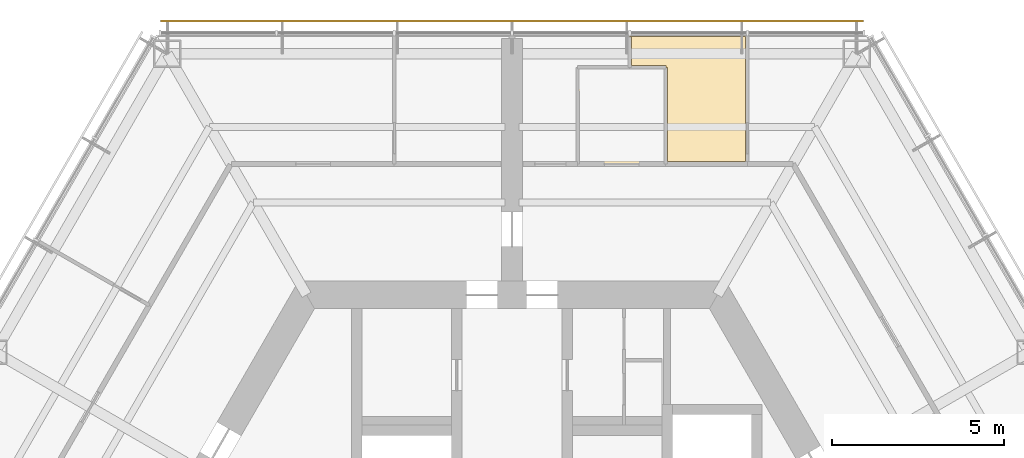
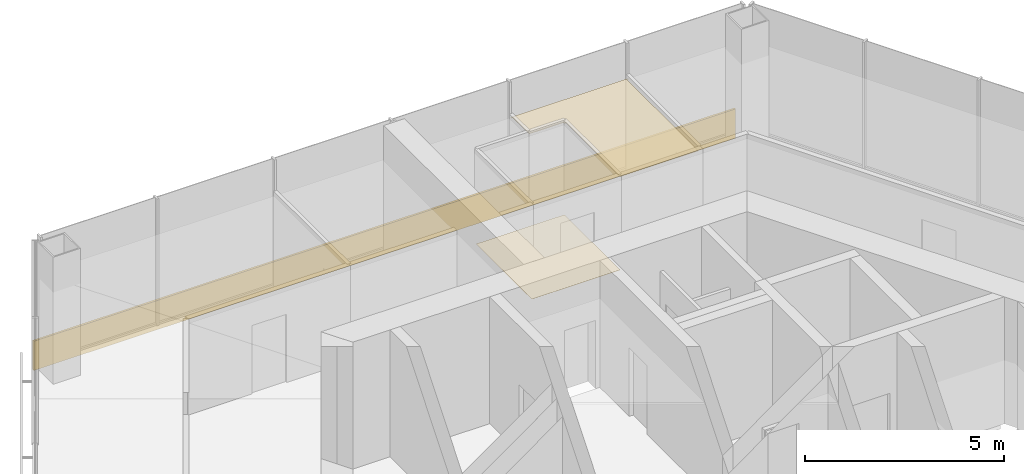
# One storey, part 13 of 13: 2 coverings, 1 shading device.
"""IFC4 building model written with IfcOpenShell, lengths in metres."""

from ifc_helpers import new_model, si_unit, direction, frame, origin, origin_2d, place, context, subcontext, project, spatial, polyline, rectangle, outline, extrude, material, layer, layer_set, type_object, element, save


model = new_model("IFC4")

# Units and contexts
model_context = context("Model", 3, precision=1e-05, world=origin(), true_north=direction((0.0, 1.0)))
body_context = subcontext(model_context, "Body", "Model", "MODEL_VIEW")
ifc_project = project(units=[si_unit("LENGTHUNIT", "METRE"), si_unit("AREAUNIT", "SQUARE_METRE"), si_unit("VOLUMEUNIT", "CUBIC_METRE"), si_unit("PLANEANGLEUNIT", "RADIAN"), si_unit("MASSUNIT", "GRAM", prefix="KILO")], contexts=[model_context])

# Site, building, storey
site_placement = place(None, origin())
site = spatial("IfcSite", under=ifc_project, at=site_placement, CompositionType="ELEMENT")
building_placement = place(site_placement, origin())
building = spatial("IfcBuilding", under=site, at=building_placement, Name="Kasaneha Research Tower", CompositionType="ELEMENT")
storey_placement = place(building_placement, frame((0.0, 0.0, 283.0)))
storey = spatial("IfcBuildingStorey", under=building, at=storey_placement, Name="L71", CompositionType="ELEMENT", Elevation=283.0)

# Covering
ifc_material_1 = material(Name="Gypsum ceiling board", Category="gypsum")
ifc_layer_1 = layer(ifc_material_1, 0.02001953125)
ifc_layer_set_1 = layer_set([ifc_layer_1], Name="Suspended ceiling 20")
covering_type_1 = type_object("IfcCoveringType", Name="Suspended ceiling 20", PredefinedType="CEILING", material=ifc_layer_set_1)
covering_1_placement = place(storey_placement, frame((0.0, 0.0, 2.800048828125)))
element("IfcCovering", 1, at=covering_1_placement, inside=storey, type_object=covering_type_1, Name="Ceiling L71-27", PredefinedType="CEILING", context=body_context, shape_type="SweptSolid", body=[
    extrude(outline(polyline([(6.8310546875, 17.800537109375), (6.781005859375, 17.800537109375), (6.776611328125, 14.199951171875), (4.510009765625, 14.199951171875), (4.514892578125, 16.9248046875), (4.465087890625, 16.925048828125), (4.465087890625, 16.97509765625), (3.47021484375, 16.97509765625), (3.465576171875, 17.80078125), (3.41552734375, 17.800537109375), (3.41552734375, 17.820556640625), (6.8310546875, 17.820556640625), (6.8310546875, 17.800537109375)])), origin(), (0.0, 0.0, 1.0), 0.02001953125),
])

# Shading device
ifc_material_2 = material(Name="Terracotta", Category="masonry")
ifc_layer_2 = layer(ifc_material_2, 0.06005859375)
ifc_layer_set_2 = layer_set([ifc_layer_2], Name="Terracotta baguette screen")
shading_device_type = type_object("IfcShadingDeviceType", Name="Terracotta baguette screen", PredefinedType="USERDEFINED", material=ifc_layer_set_2)
shading_device_placement = place(storey_placement, frame((0.0, 18.2705078125, -0.449951171875), z_axis=(0.0, 0.0, 1.0), x_axis=(-1.0, 0.0, 0.0)))
element("IfcShadingDevice", 2, at=shading_device_placement, inside=storey, type_object=shading_device_type, Name="Baguette screen L71 02", ObjectType="TERRACOTTA BAGUETTE SCREEN", PredefinedType="USERDEFINED", context=body_context, shape_type="SweptSolid", body=[
    extrude(rectangle(XDim=20.392822265625, YDim=0.06005859375, at=origin_2d()), origin(), (0.0, 0.0, 1.0), 0.89990234375),
])

# Covering
ifc_material_3 = material(Name="Vinyl sheet flooring", Category="plastic")
ifc_layer_3 = layer(ifc_material_3, 0.0048828125)
ifc_layer_set_3 = layer_set([ifc_layer_3], Name="Wet room sheet flooring 5")
covering_type_2 = type_object("IfcCoveringType", Name="Wet room sheet flooring 5", PredefinedType="FLOORING", material=ifc_layer_set_3)
covering_2_placement = place(storey_placement, origin())
element("IfcCovering", 3, at=covering_2_placement, inside=storey, type_object=covering_type_2, Name="Floor finish L71-25", PredefinedType="FLOORING", context=body_context, shape_type="SweptSolid", body=[
    extrude(outline(polyline([(1.89990234375, 16.925048828125), (4.465087890625, 16.925048828125), (4.465087890625, 14.125), (1.89990234375, 14.125), (1.89990234375, 16.925048828125)])), origin(), (0.0, 0.0, 1.0), 0.0048828125),
])

save(model, "model.ifc")
